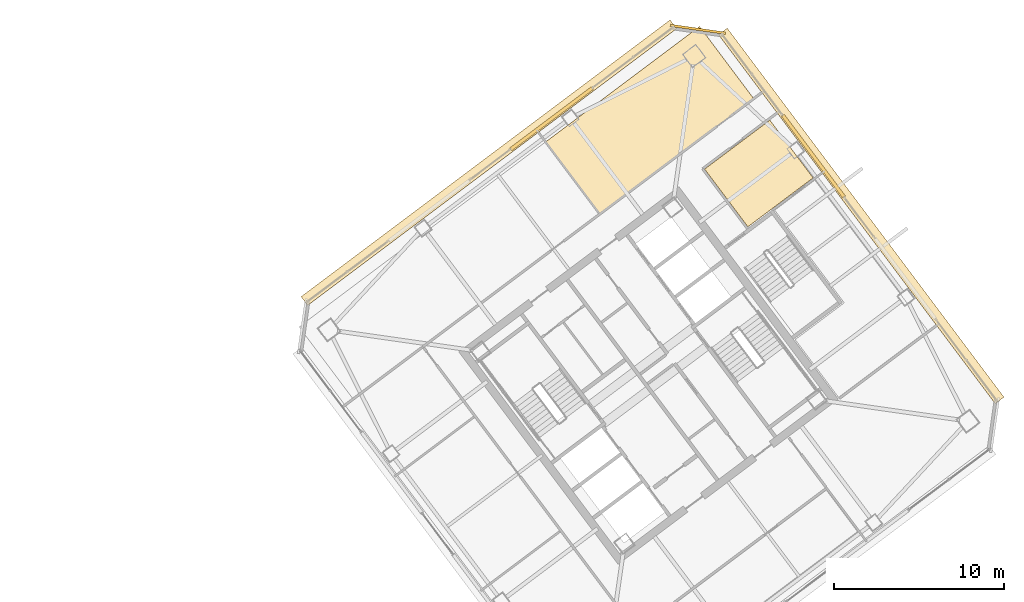
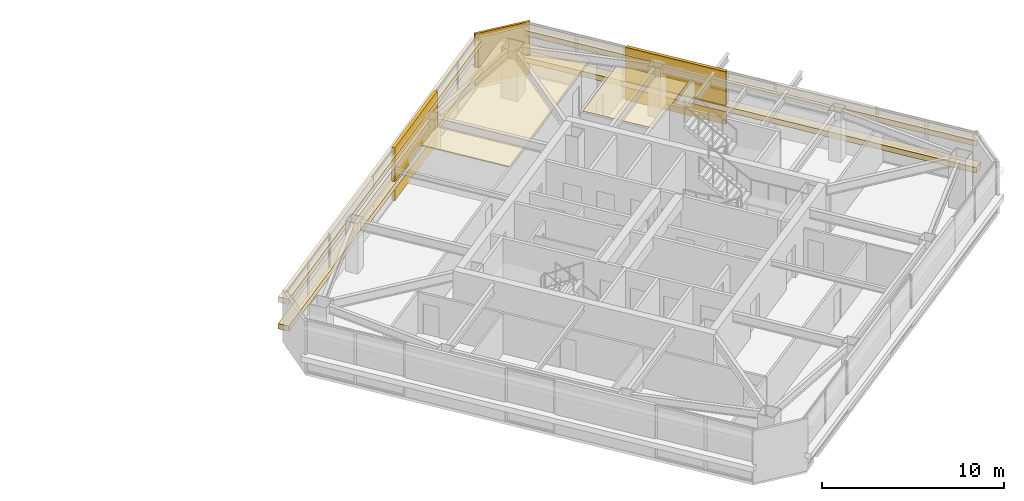
# One storey, part 44 of 44: 9 coverings.
"""IFC4 building model written with IfcOpenShell, lengths in metres."""

from ifc_helpers import new_model, si_unit, direction, frame, origin, origin_2d, place, context, subcontext, project, spatial, polyline, rectangle, outline, extrude, material, layer, layer_set, type_object, element, save


model = new_model("IFC4")

# Units and contexts
model_context = context("Model", 3, precision=1e-05, world=origin(), true_north=direction((0.0, 1.0)))
body_context = subcontext(model_context, "Body", "Model", "MODEL_VIEW")
ifc_project = project(units=[si_unit("LENGTHUNIT", "METRE"), si_unit("AREAUNIT", "SQUARE_METRE"), si_unit("VOLUMEUNIT", "CUBIC_METRE"), si_unit("PLANEANGLEUNIT", "RADIAN"), si_unit("MASSUNIT", "GRAM", prefix="KILO")], contexts=[model_context])

# Site, building, storey
site_placement = place(None, origin())
site = spatial("IfcSite", under=ifc_project, at=site_placement, CompositionType="ELEMENT")
building_placement = place(site_placement, origin())
building = spatial("IfcBuilding", under=site, at=building_placement, Name="Tashvorn Skyway Center", CompositionType="ELEMENT")
storey_placement = place(building_placement, frame((0.0, 0.0, 211.300048828125)))
storey = spatial("IfcBuildingStorey", under=building, at=storey_placement, Name="L57", CompositionType="ELEMENT", Elevation=211.300048828125)

# Coverings
ifc_material_1 = material(Name="Precast concrete C40/50", Category="concrete")
ifc_layer_1 = layer(ifc_material_1, 0.199951171875)
ifc_layer_set_1 = layer_set([ifc_layer_1], Name="Precast concrete C40/50")
covering_type_1 = type_object("IfcCoveringType", Name="COV-BRACE-CLAD", PredefinedType="CLADDING", material=ifc_layer_set_1)
for number, where, z_axis, x_axis, name in (
    (1, (108.306640625, 47.080078125, 0.0), (0.0, 0.0, 1.0), (0.799999996291, 0.600000004945, 0.0), "Tower 2 L57 North Unitised Curtain Wall Mega-Brace Cladding Band 2"),
    (2, (123.68798828125, 44.882568359375, 0.0), (0.0, 0.0, 1.0), (0.600000004945, -0.799999996291, 0.0), "Tower 2 L57 East Unitised Curtain Wall Mega-Brace Cladding Band 1"),
):
    element("IfcCovering", number, at=place(storey_placement, frame(where, z_axis=z_axis, x_axis=x_axis)), inside=storey, type_object=covering_type_1, Name=name, PredefinedType="CLADDING", context=body_context, shape_type="SweptSolid", body=[
        extrude(rectangle(XDim=5.990966796875, YDim=0.199951171875, at=origin_2d()), origin(), (0.0, 0.0, 1.0), 3.550048828125),
    ])
ifc_material_2 = material(Name="Mineral-fibre acoustic ceiling tile on suspended grid")
ifc_layer_2 = layer(ifc_material_2, 0.02001953125)
ifc_layer_set_2 = layer_set([ifc_layer_2], Name="Mineral-fibre acoustic ceiling tile on suspended grid")
covering_type_2 = type_object("IfcCoveringType", Name="COV-CEIL-20", PredefinedType="CEILING", material=ifc_layer_set_2)
covering_1_placement = place(storey_placement, frame((0.0, 0.0, 2.702880859375)))
element("IfcCovering", 3, at=covering_1_placement, inside=storey, type_object=covering_type_2, Name="Tower 2 L57 Wellness Clinic Acoustic Ceiling", PredefinedType="CEILING", context=body_context, shape_type="SweptSolid", body=[
    extrude(outline(polyline([(111.139892578125, 41.47998046875), (120.179931640625, 48.260009765625), (117.0, 52.5), (107.9599609375, 45.719970703125), (111.139892578125, 41.47998046875)])), origin(), (0.0, 0.0, 1.0), 0.02001953125),
])
covering_2_placement = place(storey_placement, frame((0.0, 0.0, 2.702880859375)))
element("IfcCovering", 4, at=covering_2_placement, inside=storey, type_object=covering_type_2, Name="Tower 2 L57 Operations Control Room Acoustic Ceiling", PredefinedType="CEILING", context=body_context, shape_type="SweptSolid", body=[
    extrude(outline(polyline([(119.840087890625, 40.72998046875), (117.2958984375, 44.1220703125), (121.1279296875, 46.99609375), (123.672119140625, 43.60400390625), (119.840087890625, 40.72998046875)])), origin(), (0.0, 0.0, 1.0), 0.02001953125),
])
ifc_material_3 = material(Name="Perforated ceramic-coated bronze aluminium solar screen", Category="aluminium")
ifc_layer_3 = layer(ifc_material_3, 0.85009765625)
ifc_layer_set_3 = layer_set([ifc_layer_3], Name="Perforated ceramic-coated bronze aluminium solar screen")
covering_type_3 = type_object("IfcCoveringType", Name="COV-SOLAR-BAND", PredefinedType="CLADDING", material=ifc_layer_set_3)
for number, where, z_axis, x_axis, name in (
    (5, (104.6279296875, 44.49609375, 0.919921875), (0.0, 0.0, 1.0), (0.799999996291, 0.600000004945, 0.0), "L57 Perforated Ceramic-Metal Solar Screen Louvre Band North 1"),
    (6, (104.6279296875, 44.49609375, 2.7197265625), (0.0, 0.0, 1.0), (0.799999996291, 0.600000004945, 0.0), "L57 Perforated Ceramic-Metal Solar Screen Louvre Band North 2"),
    (7, (126.49609375, 41.3720703125, 0.919921875), (0.0, 0.0, 1.0), (0.600000004945, -0.799999996291, 0.0), "L57 Perforated Ceramic-Metal Solar Screen Louvre Band East 1"),
    (8, (126.49609375, 41.3720703125, 2.7197265625), (0.0, 0.0, 1.0), (0.600000004945, -0.799999996291, 0.0), "L57 Perforated Ceramic-Metal Solar Screen Louvre Band East 2"),
):
    element("IfcCovering", number, at=place(storey_placement, frame(where, z_axis=z_axis, x_axis=x_axis)), inside=storey, type_object=covering_type_3, Name=name, PredefinedType="CLADDING", context=body_context, shape_type="SweptSolid", body=[
        extrude(rectangle(XDim=27.080078125, YDim=0.639892578125, at=origin_2d()), origin(), (0.0, 0.0, 1.0), 0.360107421875),
    ])
ifc_layer_4 = layer(ifc_material_1, 0.35009765625)
ifc_layer_set_4 = layer_set([ifc_layer_4], Name="Precast concrete C40/50")
covering_type_4 = type_object("IfcCoveringType", Name="COV-STONE-TRIM", PredefinedType="CLADDING", material=ifc_layer_set_4)
covering_3_placement = place(storey_placement, frame((116.904052734375, 52.327880859375, 0.02001953125), z_axis=(0.0, 0.0, 1.0), x_axis=(0.989949494535, -0.141421350118, 0.0)))
element("IfcCovering", 9, at=covering_3_placement, inside=storey, type_object=covering_type_4, Name="Tower 2 L57 NE Mojave Limestone Corner Quoin", PredefinedType="CLADDING", context=body_context, shape_type="SweptSolid", body=[
    extrude(rectangle(XDim=3.271240234375, YDim=0.139892578125, at=origin_2d()), origin(), (0.0, 0.0, 1.0), 3.510009765625),
])

save(model, "model.ifc")
